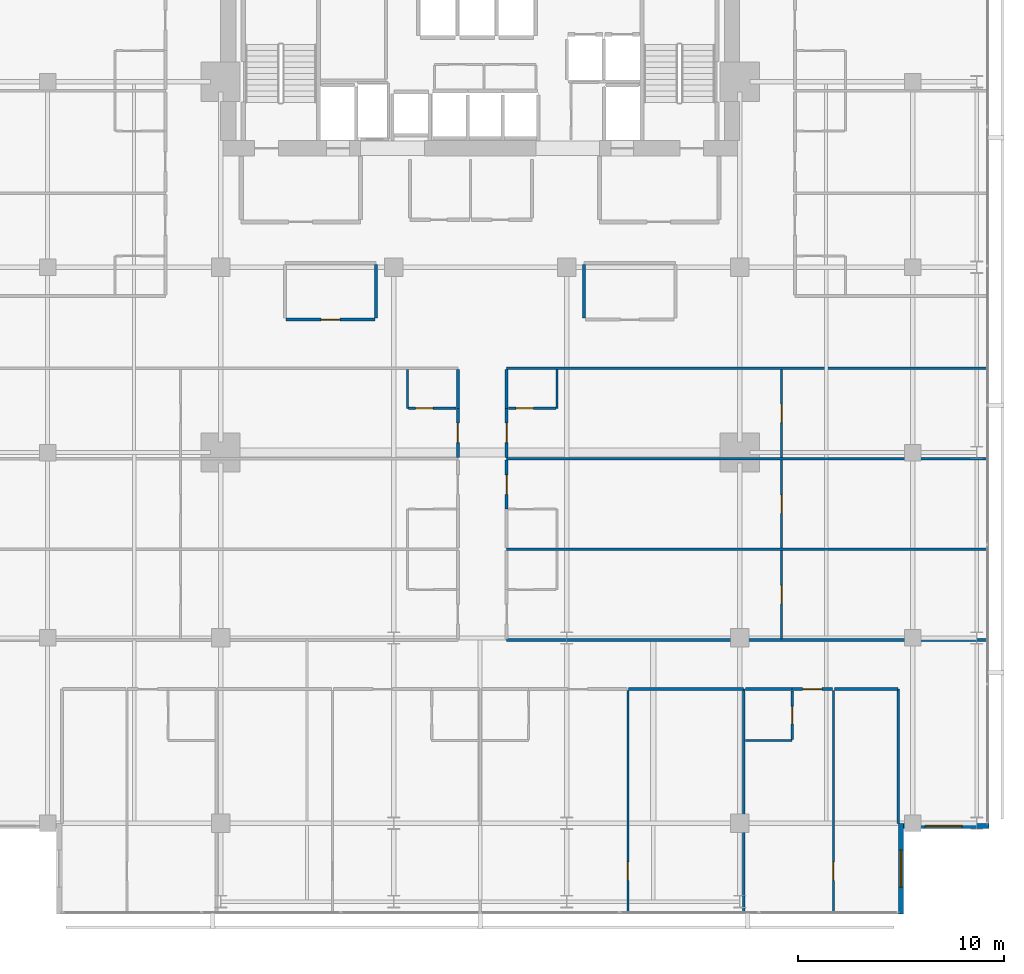
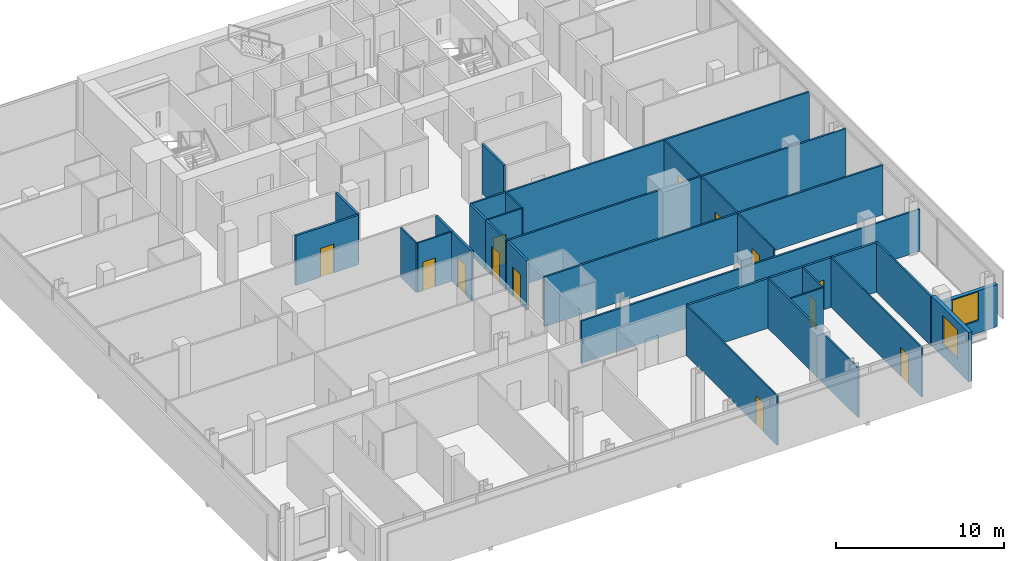
# One storey, part 28 of 34: 31 walls, 13 doors, 2 windows, 15 openings.
"""IFC4 building model written with IfcOpenShell, lengths in metres."""

from ifc_helpers import new_model, si_unit, direction, frame, frame_2d, origin, place, context, subcontext, project, spatial, rectangle, extrude, material, layer, layer_set, type_object, element, fill, save


model = new_model("IFC4")

# Units and contexts
model_context = context("Model", 3, precision=1e-05, world=origin(), true_north=direction((0.0, 1.0)))
body_context = subcontext(model_context, "Body", "Model", "MODEL_VIEW")
ifc_project = project(units=[si_unit("LENGTHUNIT", "METRE"), si_unit("AREAUNIT", "SQUARE_METRE"), si_unit("VOLUMEUNIT", "CUBIC_METRE"), si_unit("PLANEANGLEUNIT", "RADIAN"), si_unit("MASSUNIT", "GRAM", prefix="KILO")], contexts=[model_context])

# Site, building, storey
site_placement = place(None, origin())
site = spatial("IfcSite", under=ifc_project, at=site_placement, CompositionType="ELEMENT")
building_placement = place(site_placement, origin())
building = spatial("IfcBuilding", under=site, at=building_placement, Name="Maruvema Waterfront Hotel and Observation Tower", CompositionType="ELEMENT")
storey_placement = place(building_placement, frame((0.0, 0.0, 215.949951171875)))
storey = spatial("IfcBuildingStorey", under=building, at=storey_placement, Name="L53", CompositionType="ELEMENT", Elevation=215.949951171875)

# Wall
ifc_material_1 = material(Name="Twin-stud acoustic gypsum drywall", Category="gypsum")
ifc_layer_1 = layer(ifc_material_1, 0.14990234375, Name="Acoustic Corridor and Suite Demising Wall 150 mm")
ifc_layer_set_1 = layer_set([ifc_layer_1], Name="Twin-stud acoustic gypsum drywall")
wall_type_1 = type_object("IfcWallType", Name="Acoustic Corridor and Suite Demising Wall 150 mm", PredefinedType="PARTITIONING", material=ifc_layer_set_1)
wall_1_placement = place(storey_placement, frame((32.75, 33.530029296875, 0.0), z_axis=(0.0, 0.0, 1.0), x_axis=(0.0, 1.0, 0.0)))
element("IfcWall", 1, at=wall_1_placement, inside=storey, type_object=wall_type_1, Name="L53 L53-M1 East Wall 029", PredefinedType="PARTITIONING", context=body_context, shape_type="SweptSolid", body=[
    extrude(rectangle(XDim=2.590087890625, YDim=0.14990234375, at=frame_2d((1.294921875, 0.0))), origin(), (0.0, 0.0, 1.0), 3.610107421875),
])

# Wall, opening, door
wall_2_placement = place(storey_placement, frame((28.3798828125, 33.449951171875, 0.0), z_axis=(0.0, 0.0, 1.0), x_axis=(1.0, 0.0, 0.0)))
wall_2 = element("IfcWall", 2, at=wall_2_placement, inside=storey, type_object=wall_type_1, Name="L53 L53-M1 Front 1 030", PredefinedType="PARTITIONING", context=body_context, shape_type="SweptSolid", body=[
    extrude(rectangle(XDim=4.31005859375, YDim=0.14990234375, at=frame_2d((2.155029296875, 0.0))), origin(), (0.0, 0.0, 1.0), 3.610107421875),
])
opening_1_placement = place(wall_2_placement, frame((1.705078125, 0.0, 0.0)))
opening_1 = element("IfcOpeningElement", 3, at=opening_1_placement, cuts=wall_2, Name="Opening DR-090", PredefinedType="OPENING", context=body_context, shape_type="SweptSolid", body=[
    extrude(rectangle(XDim=0.89990234375, YDim=2.10009765625, at=frame_2d((0.449951171875, 1.050048828125))), frame((0.0, 0.0849609375, 0.0), z_axis=(0.0, -1.0, 0.0), x_axis=(1.0, 0.0, 0.0)), (0.0, 0.0, 1.0), 0.169921875),
])
ifc_material_2 = material(Name="Solid-core lacquered timber leaf", Category="wood")
door_type_1 = type_object("IfcDoorType", Name="Accessible Toilet and Room Door 900x2100 mm", OperationType="NOTDEFINED", PredefinedType="DOOR", material=ifc_material_2)
door_1_placement = place(opening_1_placement, frame((0.89990234375, 0.0, 0.0), z_axis=(0.0, 0.0, 1.0), x_axis=(-1.0, 0.0, 0.0)))
door_1 = element("IfcDoor", 4, at=door_1_placement, inside=storey, type_object=door_type_1, Name="L53 Boardroom 1 Door", OperationType="SINGLE_SWING_LEFT", OverallHeight=2.10009765625, OverallWidth=0.89990234375, PredefinedType="DOOR", context=body_context, shape_type="SweptSolid", body=[
    extrude(rectangle(XDim=0.89990234375, YDim=2.10009765625, at=frame_2d((0.449951171875, 1.050048828125))), frame((0.0, 0.02490234375, 0.0), z_axis=(0.0, -1.0, 0.0), x_axis=(1.0, 0.0, 0.0)), (0.0, 0.0, 1.0), 0.050048828125),
])
fill(opening_1, door_1)

# Walls
wall_3_placement = place(storey_placement, frame((42.85009765625, 33.530029296875, 0.0), z_axis=(0.0, 0.0, 1.0), x_axis=(0.0, 1.0, 0.0)))
element("IfcWall", 5, at=wall_3_placement, inside=storey, type_object=wall_type_1, Name="L53 L53-M2 West Wall 032", PredefinedType="PARTITIONING", context=body_context, shape_type="SweptSolid", body=[
    extrude(rectangle(XDim=2.590087890625, YDim=0.14990234375, at=frame_2d((1.294921875, 0.0))), origin(), (0.0, 0.0, 1.0), 3.610107421875),
])
wall_4_placement = place(storey_placement, frame((45.008056640625, 15.52001953125, 0.0), z_axis=(0.0, 0.0, 1.0), x_axis=(1.0, 0.0, 0.0)))
element("IfcWall", 6, at=wall_4_placement, inside=storey, type_object=wall_type_1, Name="L53 Bedroom L53-S3 Back Wall 055", PredefinedType="PARTITIONING", context=body_context, shape_type="SweptSolid", body=[
    extrude(rectangle(XDim=5.572021484375, YDim=0.14990234375, at=frame_2d((2.7861328125, 0.0))), origin(), (0.0, 0.0, 1.0), 3.610107421875),
])
wall_5_placement = place(storey_placement, frame((50.679931640625, 15.52001953125, 0.0), z_axis=(0.0, 0.0, 1.0), x_axis=(1.0, 0.0, 0.0)))
element("IfcWall", 7, at=wall_5_placement, inside=storey, type_object=wall_type_1, Name="L53 Bath L53-S4 Back Wall 058", PredefinedType="PARTITIONING", context=body_context, shape_type="SweptSolid", body=[
    extrude(rectangle(XDim=2.27001953125, YDim=0.14990234375, at=frame_2d((1.135009765625, 0.0))), origin(), (0.0, 0.0, 1.0), 3.610107421875),
])

# Wall, opening, door
wall_6_placement = place(storey_placement, frame((52.949951171875, 15.52001953125, 0.0), z_axis=(0.0, 0.0, 1.0), x_axis=(1.0, 0.0, 0.0)))
wall_6 = element("IfcWall", 8, at=wall_6_placement, inside=storey, type_object=wall_type_1, Name="L53 Unit L53-S4 Corridor Wall 061", PredefinedType="PARTITIONING", context=body_context, shape_type="SweptSolid", body=[
    extrude(rectangle(XDim=1.9599609375, YDim=0.14990234375, at=frame_2d((0.97998046875, 0.0))), origin(), (0.0, 0.0, 1.0), 3.610107421875),
])
opening_2_placement = place(wall_6_placement, frame((0.5048828125, 0.0, 0.0)))
opening_2 = element("IfcOpeningElement", 9, at=opening_2_placement, cuts=wall_6, Name="Opening DR-095", PredefinedType="OPENING", context=body_context, shape_type="SweptSolid", body=[
    extrude(rectangle(XDim=0.949951171875, YDim=2.14990234375, at=frame_2d((0.47509765625, 1.074951171875))), frame((0.0, 0.0849609375, 0.0), z_axis=(0.0, -1.0, 0.0), x_axis=(1.0, 0.0, 0.0)), (0.0, 0.0, 1.0), 0.169921875),
])
ifc_material_3 = material(Name="Acoustic solid-core hardwood timber leaf", Category="wood")
door_type_2 = type_object("IfcDoorType", Name="Guestroom Entrance Fire Door 950x2150 mm", OperationType="NOTDEFINED", PredefinedType="DOOR", material=ifc_material_3)
door_2_placement = place(opening_2_placement, frame((0.949951171875, 0.0, 0.0), z_axis=(0.0, 0.0, 1.0), x_axis=(-1.0, 0.0, 0.0)))
door_2 = element("IfcDoor", 10, at=door_2_placement, inside=storey, type_object=door_type_2, Name="L53 Unit L53-S4 Entrance Door", OperationType="SINGLE_SWING_LEFT", OverallHeight=2.14990234375, OverallWidth=0.949951171875, PredefinedType="DOOR", context=body_context, shape_type="SweptSolid", body=[
    extrude(rectangle(XDim=0.949951171875, YDim=2.14990234375, at=frame_2d((0.47509765625, 1.074951171875))), frame((0.0, 0.02490234375, 0.0), z_axis=(0.0, -1.0, 0.0), x_axis=(1.0, 0.0, 0.0)), (0.0, 0.0, 1.0), 0.050048828125),
])
fill(opening_2, door_2)

# Wall
wall_7_placement = place(storey_placement, frame((54.989990234375, 15.52001953125, 0.0), z_axis=(0.0, 0.0, 1.0), x_axis=(1.0, 0.0, 0.0)))
element("IfcWall", 11, at=wall_7_placement, inside=storey, type_object=wall_type_1, Name="L53 Bedroom L53-S4 Back Wall 062", PredefinedType="PARTITIONING", context=body_context, shape_type="SweptSolid", body=[
    extrude(rectangle(XDim=3.090087890625, YDim=0.14990234375, at=frame_2d((1.544921875, 0.0))), origin(), (0.0, 0.0, 1.0), 3.610107421875),
])

# Wall, opening, door
wall_8_placement = place(storey_placement, frame((39.080078125, 24.25, 0.0), z_axis=(0.0, 0.0, 1.0), x_axis=(0.0, 1.0, 0.0)))
wall_8 = element("IfcWall", 12, at=wall_8_placement, inside=storey, type_object=wall_type_1, Name="L53 Room L53-E2 Corridor Wall 086", PredefinedType="PARTITIONING", context=body_context, shape_type="SweptSolid", body=[
    extrude(rectangle(XDim=2.389892578125, YDim=0.14990234375, at=frame_2d((1.19482421875, 0.0))), origin(), (0.0, 0.0, 1.0), 3.610107421875),
])
opening_3_placement = place(wall_8_placement, frame((0.719970703125, 0.0, 0.0)))
opening_3 = element("IfcOpeningElement", 13, at=opening_3_placement, cuts=wall_8, Name="Opening DR-095", PredefinedType="OPENING", context=body_context, shape_type="SweptSolid", body=[
    extrude(rectangle(XDim=0.949951171875, YDim=2.14990234375, at=frame_2d((0.47509765625, 1.074951171875))), frame((0.0, 0.0849609375, 0.0), z_axis=(0.0, -1.0, 0.0), x_axis=(1.0, 0.0, 0.0)), (0.0, 0.0, 1.0), 0.169921875),
])
door_3_placement = place(opening_3_placement, frame((0.949951171875, 0.0, 0.0), z_axis=(0.0, 0.0, 1.0), x_axis=(-1.0, 0.0, 0.0)))
door_3 = element("IfcDoor", 14, at=door_3_placement, inside=storey, type_object=door_type_2, Name="L53 Room L53-E2 Entrance Door", OperationType="SINGLE_SWING_LEFT", OverallHeight=2.14990234375, OverallWidth=0.949951171875, PredefinedType="DOOR", context=body_context, shape_type="SweptSolid", body=[
    extrude(rectangle(XDim=0.949951171875, YDim=2.14990234375, at=frame_2d((0.47509765625, 1.074951171875))), frame((0.0, 0.02490234375, 0.0), z_axis=(0.0, -1.0, 0.0), x_axis=(1.0, 0.0, 0.0)), (0.0, 0.0, 1.0), 0.050048828125),
])
fill(opening_3, door_3)

wall_9_placement = place(storey_placement, frame((36.719970703125, 26.760009765625, 0.0), z_axis=(0.0, 0.0, 1.0), x_axis=(0.0, 1.0, 0.0)))
wall_9 = element("IfcWall", 15, at=wall_9_placement, inside=storey, type_object=wall_type_1, Name="L53 Room L53-W3 Corridor Wall 092", PredefinedType="PARTITIONING", context=body_context, shape_type="SweptSolid", body=[
    extrude(rectangle(XDim=2.389892578125, YDim=0.14990234375, at=frame_2d((1.19482421875, 0.0))), origin(), (0.0, 0.0, 1.0), 3.610107421875),
])
opening_4_placement = place(wall_9_placement, frame((0.719970703125, 0.0, 0.0)))
opening_4 = element("IfcOpeningElement", 16, at=opening_4_placement, cuts=wall_9, Name="Opening DR-095", PredefinedType="OPENING", context=body_context, shape_type="SweptSolid", body=[
    extrude(rectangle(XDim=0.949951171875, YDim=2.14990234375, at=frame_2d((0.47509765625, 1.074951171875))), frame((0.0, 0.0849609375, 0.0), z_axis=(0.0, -1.0, 0.0), x_axis=(1.0, 0.0, 0.0)), (0.0, 0.0, 1.0), 0.169921875),
])
door_4_placement = place(opening_4_placement, origin())
door_4 = element("IfcDoor", 17, at=door_4_placement, inside=storey, type_object=door_type_2, Name="L53 Room L53-W3 Entrance Door", OperationType="SINGLE_SWING_RIGHT", OverallHeight=2.14990234375, OverallWidth=0.949951171875, PredefinedType="DOOR", context=body_context, shape_type="SweptSolid", body=[
    extrude(rectangle(XDim=0.949951171875, YDim=2.14990234375, at=frame_2d((0.47509765625, 1.074951171875))), frame((0.0, 0.02490234375, 0.0), z_axis=(0.0, -1.0, 0.0), x_axis=(1.0, 0.0, 0.0)), (0.0, 0.0, 1.0), 0.050048828125),
])
fill(opening_4, door_4)

# Wall
wall_10_placement = place(storey_placement, frame((36.719970703125, 29.14990234375, 0.0), z_axis=(0.0, 0.0, 1.0), x_axis=(0.0, 1.0, 0.0)))
element("IfcWall", 18, at=wall_10_placement, inside=storey, type_object=wall_type_1, Name="L53 Bath L53-W3 Wall 093", PredefinedType="PARTITIONING", context=body_context, shape_type="SweptSolid", body=[
    extrude(rectangle(XDim=1.89013671875, YDim=0.14990234375, at=frame_2d((0.945068359375, 0.0))), origin(), (0.0, 0.0, 1.0), 3.610107421875),
])

# Wall, opening, door
wall_11_placement = place(storey_placement, frame((39.080078125, 26.760009765625, 0.0), z_axis=(0.0, 0.0, 1.0), x_axis=(0.0, 1.0, 0.0)))
wall_11 = element("IfcWall", 19, at=wall_11_placement, inside=storey, type_object=wall_type_1, Name="L53 Room L53-E3 Corridor Wall 097", PredefinedType="PARTITIONING", context=body_context, shape_type="SweptSolid", body=[
    extrude(rectangle(XDim=2.389892578125, YDim=0.14990234375, at=frame_2d((1.19482421875, 0.0))), origin(), (0.0, 0.0, 1.0), 3.610107421875),
])
opening_5_placement = place(wall_11_placement, frame((0.719970703125, 0.0, 0.0)))
opening_5 = element("IfcOpeningElement", 20, at=opening_5_placement, cuts=wall_11, Name="Opening DR-095", PredefinedType="OPENING", context=body_context, shape_type="SweptSolid", body=[
    extrude(rectangle(XDim=0.949951171875, YDim=2.14990234375, at=frame_2d((0.47509765625, 1.074951171875))), frame((0.0, 0.0849609375, 0.0), z_axis=(0.0, -1.0, 0.0), x_axis=(1.0, 0.0, 0.0)), (0.0, 0.0, 1.0), 0.169921875),
])
door_5_placement = place(opening_5_placement, frame((0.949951171875, 0.0, 0.0), z_axis=(0.0, 0.0, 1.0), x_axis=(-1.0, 0.0, 0.0)))
door_5 = element("IfcDoor", 21, at=door_5_placement, inside=storey, type_object=door_type_2, Name="L53 Room L53-E3 Entrance Door", OperationType="SINGLE_SWING_LEFT", OverallHeight=2.14990234375, OverallWidth=0.949951171875, PredefinedType="DOOR", context=body_context, shape_type="SweptSolid", body=[
    extrude(rectangle(XDim=0.949951171875, YDim=2.14990234375, at=frame_2d((0.47509765625, 1.074951171875))), frame((0.0, 0.02490234375, 0.0), z_axis=(0.0, -1.0, 0.0), x_axis=(1.0, 0.0, 0.0)), (0.0, 0.0, 1.0), 0.050048828125),
])
fill(opening_5, door_5)

# Wall
wall_12_placement = place(storey_placement, frame((39.080078125, 29.14990234375, 0.0), z_axis=(0.0, 0.0, 1.0), x_axis=(0.0, 1.0, 0.0)))
element("IfcWall", 22, at=wall_12_placement, inside=storey, type_object=wall_type_1, Name="L53 Bath L53-E3 Wall 098", PredefinedType="PARTITIONING", context=body_context, shape_type="SweptSolid", body=[
    extrude(rectangle(XDim=1.89013671875, YDim=0.14990234375, at=frame_2d((0.945068359375, 0.0))), origin(), (0.0, 0.0, 1.0), 3.610107421875),
])

# Wall, opening, door
ifc_material_4 = material(Name="Moisture-resistant cement-board drywall", Category="gypsum")
ifc_layer_2 = layer(ifc_material_4, 0.10009765625, Name="En-Suite Moisture-Resistant Partition 100 mm")
ifc_layer_set_2 = layer_set([ifc_layer_2], Name="Moisture-resistant cement-board drywall")
wall_type_2 = type_object("IfcWallType", Name="En-Suite Moisture-Resistant Partition 100 mm", PredefinedType="PARTITIONING", material=ifc_layer_set_2)
wall_13_placement = place(storey_placement, frame((44.968017578125, 4.6298828125, 0.0), z_axis=(0.0, 0.0, 1.0), x_axis=(0.0, 1.0, 0.0)))
wall_13 = element("IfcWall", 23, at=wall_13_placement, inside=storey, type_object=wall_type_2, Name="L53 Suite L53-S3 Split 056", PredefinedType="PARTITIONING", context=body_context, shape_type="SweptSolid", body=[
    extrude(rectangle(XDim=10.830078125, YDim=0.10009765625, at=frame_2d((5.4150390625, 0.0))), origin(), (0.0, 0.0, 1.0), 3.610107421875),
])
opening_6_placement = place(wall_13_placement, frame((1.60009765625, 0.0, 0.0)))
opening_6 = element("IfcOpeningElement", 24, at=opening_6_placement, cuts=wall_13, Name="Opening DR-090", PredefinedType="OPENING", context=body_context, shape_type="SweptSolid", body=[
    extrude(rectangle(XDim=0.89990234375, YDim=2.10009765625, at=frame_2d((0.449951171875, 1.050048828125))), frame((0.0, 0.06005859375, 0.0), z_axis=(0.0, -1.0, 0.0), x_axis=(1.0, 0.0, 0.0)), (0.0, 0.0, 1.0), 0.1201171875),
])
door_6_placement = place(opening_6_placement, origin())
door_6 = element("IfcDoor", 25, at=door_6_placement, inside=storey, type_object=door_type_1, Name="L53 Suite L53-S3 Bedroom Door", OperationType="SINGLE_SWING_LEFT", OverallHeight=2.10009765625, OverallWidth=0.89990234375, PredefinedType="DOOR", context=body_context, shape_type="SweptSolid", body=[
    extrude(rectangle(XDim=0.89990234375, YDim=2.10009765625, at=frame_2d((0.449951171875, 1.050048828125))), frame((0.0, 0.02490234375, 0.0), z_axis=(0.0, -1.0, 0.0), x_axis=(1.0, 0.0, 0.0)), (0.0, 0.0, 1.0), 0.050048828125),
])
fill(opening_6, door_6)

# Wall
wall_14_placement = place(storey_placement, frame((50.679931640625, 13.02001953125, 0.0), z_axis=(0.0, 0.0, 1.0), x_axis=(1.0, 0.0, 0.0)))
element("IfcWall", 26, at=wall_14_placement, inside=storey, type_object=wall_type_2, Name="L53 En-Suite L53-S4 South 059", PredefinedType="PARTITIONING", context=body_context, shape_type="SweptSolid", body=[
    extrude(rectangle(XDim=2.27001953125, YDim=0.10009765625, at=frame_2d((1.135009765625, 0.0))), origin(), (0.0, 0.0, 1.0), 3.610107421875),
])

# Wall, opening, door
wall_15_placement = place(storey_placement, frame((52.949951171875, 13.080078125, 0.0), z_axis=(0.0, 0.0, 1.0), x_axis=(0.0, 1.0, 0.0)))
wall_15 = element("IfcWall", 27, at=wall_15_placement, inside=storey, type_object=wall_type_2, Name="L53 En-Suite L53-S4 East 060", PredefinedType="PARTITIONING", context=body_context, shape_type="SweptSolid", body=[
    extrude(rectangle(XDim=2.33984375, YDim=0.10009765625, at=frame_2d((1.169921875, 0.0))), origin(), (0.0, 0.0, 1.0), 3.610107421875),
])
opening_7_placement = place(wall_15_placement, frame((0.7451171875, 0.0, 0.0)))
opening_7 = element("IfcOpeningElement", 28, at=opening_7_placement, cuts=wall_15, Name="Opening DR-085", PredefinedType="OPENING", context=body_context, shape_type="SweptSolid", body=[
    extrude(rectangle(XDim=0.85009765625, YDim=2.10009765625, at=frame_2d((0.425048828125, 1.050048828125))), frame((0.0, 0.06005859375, 0.0), z_axis=(0.0, -1.0, 0.0), x_axis=(1.0, 0.0, 0.0)), (0.0, 0.0, 1.0), 0.1201171875),
])
ifc_material_5 = material(Name="Moisture-resistant solid timber leaf", Category="wood")
door_type_3 = type_object("IfcDoorType", Name="En-Suite Bathroom Door 850x2100 mm", OperationType="NOTDEFINED", PredefinedType="DOOR", material=ifc_material_5)
door_7_placement = place(opening_7_placement, frame((0.85009765625, 0.0, 0.0), z_axis=(0.0, 0.0, 1.0), x_axis=(-1.0, 0.0, 0.0)))
door_7 = element("IfcDoor", 29, at=door_7_placement, inside=storey, type_object=door_type_3, Name="L53 En-Suite L53-S4 Door", OperationType="SINGLE_SWING_RIGHT", OverallHeight=2.10009765625, OverallWidth=0.85009765625, PredefinedType="DOOR", context=body_context, shape_type="SweptSolid", body=[
    extrude(rectangle(XDim=0.85009765625, YDim=2.10009765625, at=frame_2d((0.425048828125, 1.050048828125))), frame((0.0, 0.02490234375, 0.0), z_axis=(0.0, -1.0, 0.0), x_axis=(1.0, 0.0, 0.0)), (0.0, 0.0, 1.0), 0.050048828125),
])
fill(opening_7, door_7)

wall_16_placement = place(storey_placement, frame((54.949951171875, 4.6298828125, 0.0), z_axis=(0.0, 0.0, 1.0), x_axis=(0.0, 1.0, 0.0)))
wall_16 = element("IfcWall", 30, at=wall_16_placement, inside=storey, type_object=wall_type_2, Name="L53 Suite L53-S4 Split 063", PredefinedType="PARTITIONING", context=body_context, shape_type="SweptSolid", body=[
    extrude(rectangle(XDim=10.830078125, YDim=0.10009765625, at=frame_2d((5.4150390625, 0.0))), origin(), (0.0, 0.0, 1.0), 3.610107421875),
])
opening_8_placement = place(wall_16_placement, frame((1.60009765625, 0.0, 0.0)))
opening_8 = element("IfcOpeningElement", 31, at=opening_8_placement, cuts=wall_16, Name="Opening DR-090", PredefinedType="OPENING", context=body_context, shape_type="SweptSolid", body=[
    extrude(rectangle(XDim=0.89990234375, YDim=2.10009765625, at=frame_2d((0.449951171875, 1.050048828125))), frame((0.0, 0.06005859375, 0.0), z_axis=(0.0, -1.0, 0.0), x_axis=(1.0, 0.0, 0.0)), (0.0, 0.0, 1.0), 0.1201171875),
])
door_8_placement = place(opening_8_placement, origin())
door_8 = element("IfcDoor", 32, at=door_8_placement, inside=storey, type_object=door_type_1, Name="L53 Suite L53-S4 Bedroom Door", OperationType="SINGLE_SWING_RIGHT", OverallHeight=2.10009765625, OverallWidth=0.89990234375, PredefinedType="DOOR", context=body_context, shape_type="SweptSolid", body=[
    extrude(rectangle(XDim=0.89990234375, YDim=2.10009765625, at=frame_2d((0.449951171875, 1.050048828125))), frame((0.0, 0.02490234375, 0.0), z_axis=(0.0, -1.0, 0.0), x_axis=(1.0, 0.0, 0.0)), (0.0, 0.0, 1.0), 0.050048828125),
])
fill(opening_8, door_8)

wall_17_placement = place(storey_placement, frame((52.434326171875, 17.9599609375, 0.0), z_axis=(0.0, 0.0, 1.0), x_axis=(0.0, 1.0, 0.0)))
wall_17 = element("IfcWall", 33, at=wall_17_placement, inside=storey, type_object=wall_type_2, Name="L53 Suite L53-E1 Split 077", PredefinedType="PARTITIONING", context=body_context, shape_type="SweptSolid", body=[
    extrude(rectangle(XDim=4.280029296875, YDim=0.10009765625, at=frame_2d((2.14013671875, 0.0))), origin(), (0.0, 0.0, 1.0), 3.610107421875),
])
opening_9_placement = place(wall_17_placement, frame((1.68994140625, 0.0, 0.0)))
opening_9 = element("IfcOpeningElement", 34, at=opening_9_placement, cuts=wall_17, Name="Opening DR-090", PredefinedType="OPENING", context=body_context, shape_type="SweptSolid", body=[
    extrude(rectangle(XDim=0.89990234375, YDim=2.10009765625, at=frame_2d((0.449951171875, 1.050048828125))), frame((0.0, 0.06005859375, 0.0), z_axis=(0.0, -1.0, 0.0), x_axis=(1.0, 0.0, 0.0)), (0.0, 0.0, 1.0), 0.1201171875),
])
door_9_placement = place(opening_9_placement, frame((0.89990234375, 0.0, 0.0), z_axis=(0.0, 0.0, 1.0), x_axis=(-1.0, 0.0, 0.0)))
door_9 = element("IfcDoor", 35, at=door_9_placement, inside=storey, type_object=door_type_1, Name="L53 Suite L53-E1 Bedroom Door", OperationType="SINGLE_SWING_RIGHT", OverallHeight=2.10009765625, OverallWidth=0.89990234375, PredefinedType="DOOR", context=body_context, shape_type="SweptSolid", body=[
    extrude(rectangle(XDim=0.89990234375, YDim=2.10009765625, at=frame_2d((0.449951171875, 1.050048828125))), frame((0.0, 0.02490234375, 0.0), z_axis=(0.0, -1.0, 0.0), x_axis=(1.0, 0.0, 0.0)), (0.0, 0.0, 1.0), 0.050048828125),
])
fill(opening_9, door_9)

wall_18_placement = place(storey_placement, frame((52.434326171875, 22.360107421875, 0.0), z_axis=(0.0, 0.0, 1.0), x_axis=(0.0, 1.0, 0.0)))
wall_18 = element("IfcWall", 36, at=wall_18_placement, inside=storey, type_object=wall_type_2, Name="L53 Suite L53-E2 Split 089", PredefinedType="PARTITIONING", context=body_context, shape_type="SweptSolid", body=[
    extrude(rectangle(XDim=4.27978515625, YDim=0.10009765625, at=frame_2d((2.139892578125, 0.0))), origin(), (0.0, 0.0, 1.0), 3.610107421875),
])
opening_10_placement = place(wall_18_placement, frame((1.68994140625, 0.0, 0.0)))
opening_10 = element("IfcOpeningElement", 37, at=opening_10_placement, cuts=wall_18, Name="Opening DR-090", PredefinedType="OPENING", context=body_context, shape_type="SweptSolid", body=[
    extrude(rectangle(XDim=0.89990234375, YDim=2.10009765625, at=frame_2d((0.449951171875, 1.050048828125))), frame((0.0, 0.06005859375, 0.0), z_axis=(0.0, -1.0, 0.0), x_axis=(1.0, 0.0, 0.0)), (0.0, 0.0, 1.0), 0.1201171875),
])
door_10_placement = place(opening_10_placement, frame((0.89990234375, 0.0, 0.0), z_axis=(0.0, 0.0, 1.0), x_axis=(-1.0, 0.0, 0.0)))
door_10 = element("IfcDoor", 38, at=door_10_placement, inside=storey, type_object=door_type_1, Name="L53 Suite L53-E2 Bedroom Door", OperationType="SINGLE_SWING_RIGHT", OverallHeight=2.10009765625, OverallWidth=0.89990234375, PredefinedType="DOOR", context=body_context, shape_type="SweptSolid", body=[
    extrude(rectangle(XDim=0.89990234375, YDim=2.10009765625, at=frame_2d((0.449951171875, 1.050048828125))), frame((0.0, 0.02490234375, 0.0), z_axis=(0.0, -1.0, 0.0), x_axis=(1.0, 0.0, 0.0)), (0.0, 0.0, 1.0), 0.050048828125),
])
fill(opening_10, door_10)

# Wall
wall_19_placement = place(storey_placement, frame((34.27001953125, 29.14990234375, 0.0), z_axis=(0.0, 0.0, 1.0), x_axis=(0.0, 1.0, 0.0)))
element("IfcWall", 39, at=wall_19_placement, inside=storey, type_object=wall_type_2, Name="L53 En-Suite L53-W3 W 094", PredefinedType="PARTITIONING", context=body_context, shape_type="SweptSolid", body=[
    extrude(rectangle(XDim=1.89013671875, YDim=0.10009765625, at=frame_2d((0.945068359375, 0.0))), origin(), (0.0, 0.0, 1.0), 3.610107421875),
])

# Wall, opening, door
wall_20_placement = place(storey_placement, frame((34.320068359375, 29.14990234375, 0.0), z_axis=(0.0, 0.0, 1.0), x_axis=(1.0, 0.0, 0.0)))
wall_20 = element("IfcWall", 40, at=wall_20_placement, inside=storey, type_object=wall_type_2, Name="L53 En-Suite L53-W3 S 095", PredefinedType="PARTITIONING", context=body_context, shape_type="SweptSolid", body=[
    extrude(rectangle(XDim=2.300048828125, YDim=0.10009765625, at=frame_2d((1.14990234375, 0.0))), origin(), (0.0, 0.0, 1.0), 3.610107421875),
])
opening_11_placement = place(wall_20_placement, frame((0.35009765625, 0.0, 0.0)))
opening_11 = element("IfcOpeningElement", 41, at=opening_11_placement, cuts=wall_20, Name="Opening DR-085", PredefinedType="OPENING", context=body_context, shape_type="SweptSolid", body=[
    extrude(rectangle(XDim=0.85009765625, YDim=2.10009765625, at=frame_2d((0.425048828125, 1.050048828125))), frame((0.0, 0.06005859375, 0.0), z_axis=(0.0, -1.0, 0.0), x_axis=(1.0, 0.0, 0.0)), (0.0, 0.0, 1.0), 0.1201171875),
])
door_11_placement = place(opening_11_placement, frame((0.85009765625, 0.0, 0.0), z_axis=(0.0, 0.0, 1.0), x_axis=(-1.0, 0.0, 0.0)))
door_11 = element("IfcDoor", 42, at=door_11_placement, inside=storey, type_object=door_type_3, Name="L53 En-Suite L53-W3 Door", OperationType="SINGLE_SWING_LEFT", OverallHeight=2.10009765625, OverallWidth=0.85009765625, PredefinedType="DOOR", context=body_context, shape_type="SweptSolid", body=[
    extrude(rectangle(XDim=0.85009765625, YDim=2.10009765625, at=frame_2d((0.425048828125, 1.050048828125))), frame((0.0, 0.02490234375, 0.0), z_axis=(0.0, -1.0, 0.0), x_axis=(1.0, 0.0, 0.0)), (0.0, 0.0, 1.0), 0.050048828125),
])
fill(opening_11, door_11)

# Wall
wall_21_placement = place(storey_placement, frame((41.530029296875, 29.14990234375, 0.0), z_axis=(0.0, 0.0, 1.0), x_axis=(0.0, 1.0, 0.0)))
element("IfcWall", 43, at=wall_21_placement, inside=storey, type_object=wall_type_2, Name="L53 En-Suite L53-E3 E 099", PredefinedType="PARTITIONING", context=body_context, shape_type="SweptSolid", body=[
    extrude(rectangle(XDim=1.89013671875, YDim=0.10009765625, at=frame_2d((0.945068359375, 0.0))), origin(), (0.0, 0.0, 1.0), 3.610107421875),
])

# Wall, opening, door
wall_22_placement = place(storey_placement, frame((39.179931640625, 29.14990234375, 0.0), z_axis=(0.0, 0.0, 1.0), x_axis=(1.0, 0.0, 0.0)))
wall_22 = element("IfcWall", 44, at=wall_22_placement, inside=storey, type_object=wall_type_2, Name="L53 En-Suite L53-E3 S 100", PredefinedType="PARTITIONING", context=body_context, shape_type="SweptSolid", body=[
    extrude(rectangle(XDim=2.300048828125, YDim=0.10009765625, at=frame_2d((1.14990234375, 0.0))), origin(), (0.0, 0.0, 1.0), 3.610107421875),
])
opening_12_placement = place(wall_22_placement, frame((0.35009765625, 0.0, 0.0)))
opening_12 = element("IfcOpeningElement", 45, at=opening_12_placement, cuts=wall_22, Name="Opening DR-085", PredefinedType="OPENING", context=body_context, shape_type="SweptSolid", body=[
    extrude(rectangle(XDim=0.85009765625, YDim=2.10009765625, at=frame_2d((0.425048828125, 1.050048828125))), frame((0.0, 0.06005859375, 0.0), z_axis=(0.0, -1.0, 0.0), x_axis=(1.0, 0.0, 0.0)), (0.0, 0.0, 1.0), 0.1201171875),
])
door_12_placement = place(opening_12_placement, frame((0.85009765625, 0.0, 0.0), z_axis=(0.0, 0.0, 1.0), x_axis=(-1.0, 0.0, 0.0)))
door_12 = element("IfcDoor", 46, at=door_12_placement, inside=storey, type_object=door_type_3, Name="L53 En-Suite L53-E3 Door", OperationType="SINGLE_SWING_RIGHT", OverallHeight=2.10009765625, OverallWidth=0.85009765625, PredefinedType="DOOR", context=body_context, shape_type="SweptSolid", body=[
    extrude(rectangle(XDim=0.85009765625, YDim=2.10009765625, at=frame_2d((0.425048828125, 1.050048828125))), frame((0.0, 0.02490234375, 0.0), z_axis=(0.0, -1.0, 0.0), x_axis=(1.0, 0.0, 0.0)), (0.0, 0.0, 1.0), 0.050048828125),
])
fill(opening_12, door_12)

wall_23_placement = place(storey_placement, frame((52.434326171875, 26.760009765625, 0.0), z_axis=(0.0, 0.0, 1.0), x_axis=(0.0, 1.0, 0.0)))
wall_23 = element("IfcWall", 47, at=wall_23_placement, inside=storey, type_object=wall_type_2, Name="L53 Suite L53-E3 Split 101", PredefinedType="PARTITIONING", context=body_context, shape_type="SweptSolid", body=[
    extrude(rectangle(XDim=4.280029296875, YDim=0.10009765625, at=frame_2d((2.14013671875, 0.0))), origin(), (0.0, 0.0, 1.0), 3.610107421875),
])
opening_13_placement = place(wall_23_placement, frame((1.68994140625, 0.0, 0.0)))
opening_13 = element("IfcOpeningElement", 48, at=opening_13_placement, cuts=wall_23, Name="Opening DR-090", PredefinedType="OPENING", context=body_context, shape_type="SweptSolid", body=[
    extrude(rectangle(XDim=0.89990234375, YDim=2.10009765625, at=frame_2d((0.449951171875, 1.050048828125))), frame((0.0, 0.06005859375, 0.0), z_axis=(0.0, -1.0, 0.0), x_axis=(1.0, 0.0, 0.0)), (0.0, 0.0, 1.0), 0.1201171875),
])
door_13_placement = place(opening_13_placement, frame((0.89990234375, 0.0, 0.0), z_axis=(0.0, 0.0, 1.0), x_axis=(-1.0, 0.0, 0.0)))
door_13 = element("IfcDoor", 49, at=door_13_placement, inside=storey, type_object=door_type_1, Name="L53 Suite L53-E3 Bedroom Door", OperationType="SINGLE_SWING_RIGHT", OverallHeight=2.10009765625, OverallWidth=0.89990234375, PredefinedType="DOOR", context=body_context, shape_type="SweptSolid", body=[
    extrude(rectangle(XDim=0.89990234375, YDim=2.10009765625, at=frame_2d((0.449951171875, 1.050048828125))), frame((0.0, 0.02490234375, 0.0), z_axis=(0.0, -1.0, 0.0), x_axis=(1.0, 0.0, 0.0)), (0.0, 0.0, 1.0), 0.050048828125),
])
fill(opening_13, door_13)

# Wall, opening, window
ifc_material_6 = material(Name="Precast concrete C45/55 with honed Pernambuco granite facing", Category="masonry")
ifc_layer_3 = layer(ifc_material_6, 0.260009765625, Name="Exterior Granite Clad Spandrel and Pier Wall 260 mm")
ifc_layer_set_3 = layer_set([ifc_layer_3], Name="Precast concrete C45/55 with honed Pernambuco granite facing")
wall_type_3 = type_object("IfcWallType", Name="Exterior Granite Clad Spandrel and Pier Wall 260 mm", PredefinedType="SOLIDWALL", material=ifc_layer_set_3)
wall_24_placement = place(storey_placement, frame((58.22998046875, 9.0, 0.0), z_axis=(0.0, 0.0, 1.0), x_axis=(0.0, -1.0, 0.0)))
wall_24 = element("IfcWall", 50, at=wall_24_placement, inside=storey, type_object=wall_type_3, Name="L53 Corner Notch Granite Pier Wall SE1", PredefinedType="SOLIDWALL", context=body_context, shape_type="SweptSolid", body=[
    extrude(rectangle(XDim=4.39990234375, YDim=0.260009765625, at=frame_2d((2.199951171875, 0.0))), origin(), (0.0, 0.0, 1.0), 3.610107421875),
])
opening_14_placement = place(wall_24_placement, frame((1.300048828125, 0.0, 0.89990234375)))
opening_14 = element("IfcOpeningElement", 51, at=opening_14_placement, cuts=wall_24, Name="Opening WN-02", PredefinedType="OPENING", context=body_context, shape_type="SweptSolid", body=[
    extrude(rectangle(XDim=1.800048828125, YDim=2.10009765625, at=frame_2d((0.89990234375, 1.050048828125))), frame((0.0, 0.14013671875, 0.0), z_axis=(0.0, -1.0, 0.0), x_axis=(1.0, 0.0, 0.0)), (0.0, 0.0, 1.0), 0.280029296875),
])
ifc_material_7 = material(Name="Anodised bronze aluminium frame with laminated low-E glass", Category="aluminium")
window_type = type_object("IfcWindowType", Name="Upper Notch Feature Window 1800x2100 mm", PartitioningType="SINGLE_PANEL", PredefinedType="WINDOW", material=ifc_material_7)
window_1_placement = place(opening_14_placement, origin())
window_1 = element("IfcWindow", 52, at=window_1_placement, inside=storey, type_object=window_type, Name="L53 Corner Notch Punched Window SE1", OverallHeight=2.10009765625, OverallWidth=1.800048828125, PartitioningType="SINGLE_PANEL", PredefinedType="WINDOW", context=body_context, shape_type="SweptSolid", body=[
    extrude(rectangle(XDim=1.800048828125, YDim=2.10009765625, at=frame_2d((0.89990234375, 1.050048828125))), frame((0.0, 0.030029296875, 0.0), z_axis=(0.0, -1.0, 0.0), x_axis=(1.0, 0.0, 0.0)), (0.0, 0.0, 1.0), 0.06005859375),
])
fill(opening_14, window_1)

wall_25_placement = place(storey_placement, frame((62.5, 8.8701171875, 0.0), z_axis=(0.0, 0.0, 1.0), x_axis=(-1.0, 0.0, 0.0)))
wall_25 = element("IfcWall", 53, at=wall_25_placement, inside=storey, type_object=wall_type_3, Name="L53 Corner Notch Granite Pier Wall SE2", PredefinedType="SOLIDWALL", context=body_context, shape_type="SweptSolid", body=[
    extrude(rectangle(XDim=4.39990234375, YDim=0.260009765625, at=frame_2d((2.199951171875, 0.0))), origin(), (0.0, 0.0, 1.0), 3.071044921875),
])
opening_15_placement = place(wall_25_placement, frame((1.300048828125, 0.0, 0.89990234375)))
opening_15 = element("IfcOpeningElement", 54, at=opening_15_placement, cuts=wall_25, Name="Opening WN-02", PredefinedType="OPENING", context=body_context, shape_type="SweptSolid", body=[
    extrude(rectangle(XDim=1.800048828125, YDim=2.10009765625, at=frame_2d((0.89990234375, 1.050048828125))), frame((0.0, 0.14013671875, 0.0), z_axis=(0.0, -1.0, 0.0), x_axis=(1.0, 0.0, 0.0)), (0.0, 0.0, 1.0), 0.280029296875),
])
window_2_placement = place(opening_15_placement, origin())
window_2 = element("IfcWindow", 55, at=window_2_placement, inside=storey, type_object=window_type, Name="L53 Corner Notch Punched Window SE2", OverallHeight=2.10009765625, OverallWidth=1.800048828125, PartitioningType="SINGLE_PANEL", PredefinedType="WINDOW", context=body_context, shape_type="SweptSolid", body=[
    extrude(rectangle(XDim=1.800048828125, YDim=2.10009765625, at=frame_2d((0.89990234375, 1.050048828125))), frame((0.0, 0.030029296875, 0.0), z_axis=(0.0, -1.0, 0.0), x_axis=(1.0, 0.0, 0.0)), (0.0, 0.0, 1.0), 0.06005859375),
])
fill(opening_15, window_2)

# Walls
ifc_material_8 = material(Name="Acoustic gypsum plasterboard drywall", Category="gypsum")
ifc_layer_4 = layer(ifc_material_8, 0.125, Name="Guestroom Acoustic Demising Wall 125 mm")
ifc_layer_set_4 = layer_set([ifc_layer_4], Name="Acoustic gypsum plasterboard drywall")
wall_type_4 = type_object("IfcWallType", Name="Guestroom Acoustic Demising Wall 125 mm", PredefinedType="PARTITIONING", material=ifc_layer_set_4)
wall_26_placement = place(storey_placement, frame((58.10009765625, 9.0, 0.0), z_axis=(0.0, 0.0, 1.0), x_axis=(0.0, 1.0, 0.0)))
element("IfcWall", 56, at=wall_26_placement, inside=storey, type_object=wall_type_4, Name="L53 Z2 S East End 036", PredefinedType="PARTITIONING", context=body_context, shape_type="SweptSolid", body=[
    extrude(rectangle(XDim=6.52001953125, YDim=0.125, at=frame_2d((3.260009765625, 0.0))), origin(), (0.0, 0.0, 1.0), 3.610107421875),
])
wall_27_placement = place(storey_placement, frame((50.60009765625, 4.699951171875, 0.0), z_axis=(0.0, 0.0, 1.0), x_axis=(0.0, 1.0, 0.0)))
element("IfcWall", 57, at=wall_27_placement, inside=storey, type_object=wall_type_4, Name="L53 Z2 S Demising 4 057", PredefinedType="PARTITIONING", context=body_context, shape_type="SweptSolid", body=[
    extrude(rectangle(XDim=10.820068359375, YDim=0.125, at=frame_2d((5.41015625, 0.0))), origin(), (0.0, 0.0, 1.0), 3.610107421875),
])
wall_28_placement = place(storey_placement, frame((39.080078125, 17.89990234375, 0.0), z_axis=(0.0, 0.0, 1.0), x_axis=(1.0, 0.0, 0.0)))
element("IfcWall", 58, at=wall_28_placement, inside=storey, type_object=wall_type_4, Name="L53 Z2 E Bot End 065", PredefinedType="PARTITIONING", context=body_context, shape_type="SweptSolid", body=[
    extrude(rectangle(XDim=23.31982421875, YDim=0.125, at=frame_2d((11.659912109375, 0.0))), origin(), (0.0, 0.0, 1.0), 3.071044921875),
])
for number, where, z_axis, x_axis, name in (
    (59, (39.080078125, 31.10009765625, 0.0), (0.0, 0.0, 1.0), (1.0, 0.0, 0.0), "L53 Z2 E Top End 067"),
    (60, (39.080078125, 22.300048828125, 0.0), (0.0, 0.0, 1.0), (1.0, 0.0, 0.0), "L53 Z2 E Demising 2 079"),
    (61, (39.080078125, 26.699951171875, 0.0), (0.0, 0.0, 1.0), (1.0, 0.0, 0.0), "L53 Z2 E Demising 3 091"),
):
    element("IfcWall", number, at=place(storey_placement, frame(where, z_axis=z_axis, x_axis=x_axis)), inside=storey, type_object=wall_type_4, Name=name, PredefinedType="PARTITIONING", context=body_context, shape_type="SweptSolid", body=[
        extrude(rectangle(XDim=23.31982421875, YDim=0.125, at=frame_2d((11.659912109375, 0.0))), origin(), (0.0, 0.0, 1.0), 3.610107421875),
    ])

save(model, "model.ifc")
